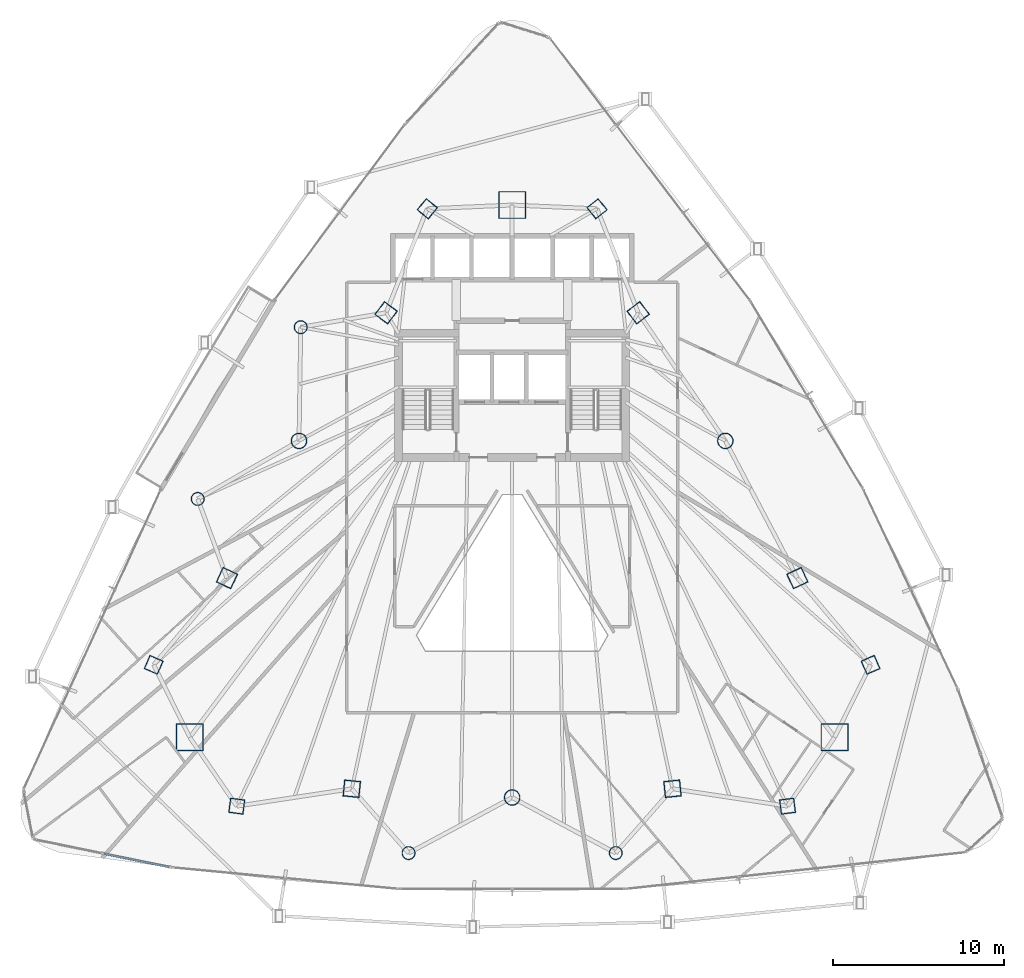
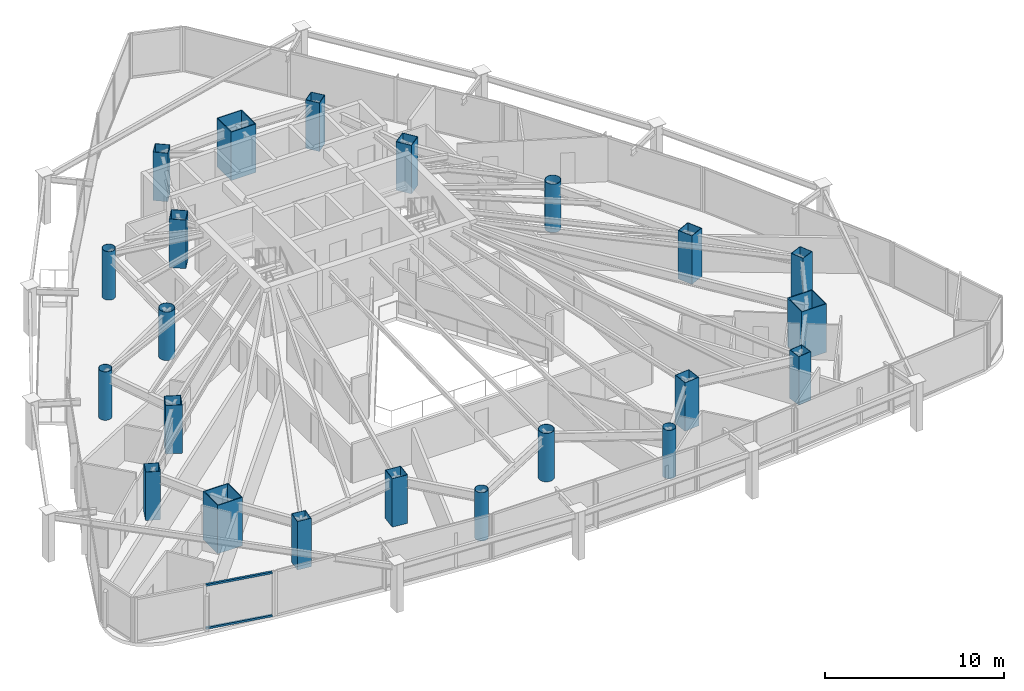
# One storey, part 1 of 38: 22 columns, 2 members, 1 element without a shape of its own.
"""IFC4 building model written with IfcOpenShell, lengths in metres."""

import ifcopenshell
import ifcopenshell.guid

model = None  # the IFC model being written
_history = None  # IfcOwnerHistory: only IFC2X3 demands one
_inside = {}  # id of a spatial element -> (the spatial element, [elements in it])
_under = {}  # id of a project, library or spatial element -> (it, [spatial elements below it])
_declared = {}  # id of a project -> (the project, [libraries it declares])
_typed = {}  # id of a type object -> (the type object, [elements of that type])
_made_of = {}  # id of a material, layer set ... -> (it, [elements and type objects made of it])


def new_model(schema):
    """Start an empty IFC model of exactly this schema.

    Asked for "IFC4X3", IfcOpenShell would pick the latest addendum, in which some entities
    have other attributes; the version numbers below select the first issue.
    IFC2X3 requires an IfcOwnerHistory on every rooted entity: one is made here for all.
    """
    global model, _history
    if schema == "IFC4X3":
        model = ifcopenshell.file(schema_version=(4, 3, 0, 0))
    else:
        model = ifcopenshell.file(schema=schema)
    _inside.clear()
    _under.clear()
    _declared.clear()
    _typed.clear()
    _made_of.clear()
    _history = None
    if model.schema == "IFC2X3":
        org = make("IfcOrganization", Name="unknown")
        user = make(
            "IfcPersonAndOrganization",
            ThePerson=make("IfcPerson", FamilyName="unknown"),
            TheOrganization=org,
        )
        app = make(
            "IfcApplication",
            ApplicationDeveloper=org,
            Version="unknown",
            ApplicationFullName="unknown",
            ApplicationIdentifier="unknown",
        )
        _history = make(
            "IfcOwnerHistory",
            OwningUser=user,
            OwningApplication=app,
            ChangeAction="ADDED",
            CreationDate=0,
        )
    return model


def make(cls, **values):
    """One entity of the class cls with the attributes given. An attribute that is None is left unset."""
    return model.create_entity(
        cls, **{name: value for name, value in values.items() if value is not None}
    )


def rooted(cls, **values):
    """An entity with a GlobalId (a new one), such as an element, a storey or a relation."""
    return make(cls, GlobalId=ifcopenshell.guid.new(), OwnerHistory=_history, **values)


def si_unit(unit_type, name, prefix=None):
    """IfcSIUnit, for example si_unit("LENGTHUNIT", "METRE", prefix="MILLI")."""
    return make("IfcSIUnit", UnitType=unit_type, Prefix=prefix, Name=name)


def assignment(units):
    """IfcUnitAssignment: the units of a project."""
    return None if units is None else make("IfcUnitAssignment", Units=units)


def point(xyz):
    """IfcCartesianPoint."""
    return None if xyz is None else make("IfcCartesianPoint", Coordinates=xyz)


def direction(xyz):
    """IfcDirection."""
    return None if xyz is None else make("IfcDirection", DirectionRatios=xyz)


def frame(location, z_axis=None, x_axis=None):
    """IfcAxis2Placement3D, a coordinate frame: its origin and axes. An axis left out is left unset."""
    return make(
        "IfcAxis2Placement3D",
        Location=point(location),
        Axis=direction(z_axis),
        RefDirection=direction(x_axis),
    )


def frame_2d(location, x_axis=None):
    """IfcAxis2Placement2D, a coordinate frame in the plane: its origin and x axis."""
    return make(
        "IfcAxis2Placement2D", Location=point(location), RefDirection=direction(x_axis)
    )


def origin():
    """The frame at (0, 0, 0) with its axes left unset."""
    return frame((0.0, 0.0, 0.0))


def origin_2d():
    """The frame at (0, 0) in the plane with its x axis left unset."""
    return frame_2d((0.0, 0.0))


def place(relative_to, where):
    """IfcLocalPlacement: puts the frame where relative to a parent placement (None: the world)."""
    return make(
        "IfcLocalPlacement", PlacementRelTo=relative_to, RelativePlacement=where
    )


def context(
    kind, dimensions, precision=None, world=None, true_north=None, identifier=None
):
    """IfcGeometricRepresentationContext, for example the 3D "Model" context."""
    return make(
        "IfcGeometricRepresentationContext",
        ContextIdentifier=identifier,
        ContextType=kind,
        CoordinateSpaceDimension=dimensions,
        Precision=precision,
        WorldCoordinateSystem=world,
        TrueNorth=true_north,
    )


def subcontext(parent, identifier, kind, view, scale=None):
    """IfcGeometricRepresentationSubContext, for example "Body" below "Model"."""
    return make(
        "IfcGeometricRepresentationSubContext",
        ContextIdentifier=identifier,
        ContextType=kind,
        ParentContext=parent,
        TargetScale=scale,
        TargetView=view,
    )


def project(units=None, contexts=None):
    """IfcProject with its units and contexts."""
    return rooted(
        "IfcProject",
        Name="project",
        RepresentationContexts=contexts,
        UnitsInContext=assignment(units),
    )


def spatial(cls, under=None, at=None, **own):
    """A site, building, storey or space (cls), placed at a placement, below another one or the project."""
    s = rooted(cls, ObjectPlacement=at, **own)
    if under is not None:
        _under.setdefault(under.id(), (under, []))[1].append(s)
    return s


def profile(cls, at=None, kind="AREA", **sizes):
    """A parametric profile (cls). Its sizes go by their IFC names, for example OverallWidth=200.0."""
    return make(cls, ProfileType=kind, Position=at, **sizes)


def hollow_rectangle(**sizes):
    """IfcRectangleHollowProfileDef."""
    return profile("IfcRectangleHollowProfileDef", **sizes)


def hollow_circle(**sizes):
    """IfcCircleHollowProfileDef."""
    return profile("IfcCircleHollowProfileDef", **sizes)


def extrude(swept, where, along, depth):
    """IfcExtrudedAreaSolid: the profile swept, set in the frame where, extruded along a direction by depth."""
    return make(
        "IfcExtrudedAreaSolid",
        SweptArea=swept,
        Position=where,
        ExtrudedDirection=direction(along),
        Depth=depth,
    )


def shape(context_of_items, identifier, shape_type, items):
    """IfcShapeRepresentation: the items that make up one representation, for example the "Body"."""
    return make(
        "IfcShapeRepresentation",
        ContextOfItems=context_of_items,
        RepresentationIdentifier=identifier,
        RepresentationType=shape_type,
        Items=items,
    )


def material(Name=None, Category=None):
    """IfcMaterial."""
    return make("IfcMaterial", Name=Name, Category=Category)


def layer(
    of_material, thickness, ventilated=None, Name=None, Category=None, Priority=None
):
    """IfcMaterialLayer: one layer of a wall or slab, of a material (None: an air gap)."""
    return make(
        "IfcMaterialLayer",
        Material=of_material,
        LayerThickness=thickness,
        IsVentilated=ventilated,
        Name=Name,
        Category=Category,
        Priority=Priority,
    )


def layer_set(layers, Name=None):
    """IfcMaterialLayerSet."""
    return make("IfcMaterialLayerSet", MaterialLayers=layers, LayerSetName=Name)


def material_profile(
    of_material, cross_section, Name=None, Category=None, Priority=None
):
    """IfcMaterialProfile: a cross section and its material."""
    return make(
        "IfcMaterialProfile",
        Name=Name,
        Material=of_material,
        Profile=cross_section,
        Priority=Priority,
        Category=Category,
    )


def profile_set(profiles, Name=None, composite=None):
    """IfcMaterialProfileSet."""
    return make(
        "IfcMaterialProfileSet",
        Name=Name,
        MaterialProfiles=profiles,
        CompositeProfile=composite,
    )


def made_of(thing, what):
    """Note that an element or type object is made of a material, layer set ...; save() writes the relation."""
    if what is not None:
        _made_of.setdefault(what.id(), (what, []))[1].append(thing)
    return thing


def type_object(cls, material=None, **own):
    """A type object (cls), such as IfcWallType, which elements share."""
    return made_of(rooted(cls, **own), material)


def element(
    cls,
    number,
    at=None,
    inside=None,
    cuts=None,
    type_object=None,
    material=None,
    context=None,
    identifier="Body",
    shape_type=None,
    held_by="IfcProductDefinitionShape",
    body=None,
    shapes=None,
    **own,
):
    """One element of the class cls, such as IfcWall. Its Tag is "e" and its number.

    at: its placement. inside: the storey or other place that contains it. cuts: it is an
    opening in that element (IfcRelVoidsElement). A single representation is given by context,
    identifier, shape_type and body (its items); several are given by shapes. held_by: the class
    of the entity that holds the representations. save() writes the other relations.
    """
    e = rooted(cls, Tag="e%d" % number, ObjectPlacement=at, **own)
    if body is not None:
        shapes = [shape(context, identifier, shape_type, body)]
    if shapes is not None:
        e.Representation = make(held_by, Representations=shapes)
    if inside is not None:
        _inside.setdefault(inside.id(), (inside, []))[1].append(e)
    if cuts is not None:
        rooted(
            "IfcRelVoidsElement", RelatingBuildingElement=cuts, RelatedOpeningElement=e
        )
    if type_object is not None:
        _typed.setdefault(type_object.id(), (type_object, []))[1].append(e)
    return made_of(e, material)


def aggregate(whole, parts):
    """IfcRelAggregates: a whole, such as a stair, and the parts it consists of."""
    return rooted("IfcRelAggregates", RelatingObject=whole, RelatedObjects=parts)


def save(model, path):
    """Write the relations noted so far, then the file.

    IfcRelAggregates (storeys below a building ...), IfcRelContainedInSpatialStructure (elements
    in a storey), IfcRelDefinesByType, IfcRelAssociatesMaterial and IfcRelDeclares: one each for
    every whole, place, type object, material and project.
    """
    for whole, parts in _under.values():
        aggregate(whole, parts)
    for where, things in _inside.values():
        rooted(
            "IfcRelContainedInSpatialStructure",
            RelatedElements=things,
            RelatingStructure=where,
        )
    for kind, things in _typed.values():
        rooted("IfcRelDefinesByType", RelatedObjects=things, RelatingType=kind)
    for what, things in _made_of.values():
        rooted("IfcRelAssociatesMaterial", RelatedObjects=things, RelatingMaterial=what)
    for by, libraries in _declared.values():
        rooted("IfcRelDeclares", RelatingContext=by, RelatedDefinitions=libraries)
    model.write(path)


model = new_model("IFC4")

# Units and contexts
model_context = context("Model", 3, precision=1e-05, world=origin(), true_north=direction((0.0, 1.0)))
body_context = subcontext(model_context, "Body", "Model", "MODEL_VIEW")
ifc_project = project(units=[si_unit("LENGTHUNIT", "METRE"), si_unit("AREAUNIT", "SQUARE_METRE"), si_unit("VOLUMEUNIT", "CUBIC_METRE"), si_unit("PLANEANGLEUNIT", "RADIAN"), si_unit("MASSUNIT", "GRAM", prefix="KILO")], contexts=[model_context])

# Site, building, storey
site_placement = place(None, origin())
site = spatial("IfcSite", under=ifc_project, at=site_placement, CompositionType="ELEMENT")
building_placement = place(site_placement, origin())
building = spatial("IfcBuilding", under=site, at=building_placement, Name="Orvanel Arch Residences", CompositionType="ELEMENT")
storey_placement = place(building_placement, frame((0.0, 0.0, 50.0)))
storey = spatial("IfcBuildingStorey", under=building, at=storey_placement, Name="L13", CompositionType="ELEMENT", Elevation=50.0)

# Columns
ifc_material_1 = material(Name="Structural steel AS/NZS 1163 C450L0 (Grade 450)", Category="steel")
ifc_material_profile_1 = material_profile(ifc_material_1, hollow_circle(Radius=0.381103515625, WallThickness=0.02197265625, at=origin_2d()), Name="CHS762x22")
ifc_profile_set_1 = profile_set([ifc_material_profile_1], Name="Structural steel AS/NZS 1163 C450L0 (Grade 450)")
column_type_1 = type_object("IfcColumnType", Name="CC-762", PredefinedType="COLUMN", material=ifc_profile_set_1)
for number, where, z_axis, x_axis, name in (
    (1, (20.669921875, 34.27099609375, 0.0), (0.0, 0.0, 1.0), (1.0, 0.0, 0.0), "L13 Low-Rise Buttress Tube Column 01"),
    (2, (14.662109375, 24.256103515625, 0.0), (0.0, 0.0, 1.0), (1.0, 0.0, 0.0), "L13 Low-Rise Buttress Tube Column 02"),
    (3, (26.9580078125, 3.60498046875, 0.0), (0.0, 0.0, 1.0), (1.0, 0.0, 0.0), "L13 Low-Rise Buttress Tube Column 03"),
    (4, (39.0419921875, 3.60498046875, 0.0), (0.0, 0.0, 1.0), (1.0, 0.0, 0.0), "L13 Low-Rise Buttress Tube Column 04"),
):
    element("IfcColumn", number, at=place(storey_placement, frame(where, z_axis=z_axis, x_axis=x_axis)), inside=storey, type_object=column_type_1, Name=name, PredefinedType="COLUMN", context=body_context, shape_type="SweptSolid", body=[
        extrude(hollow_circle(Radius=0.381103515625, WallThickness=0.02197265625, at=origin_2d()), origin(), (0.0, 0.0, 1.0), 3.300048828125),
    ])
ifc_material_profile_2 = material_profile(ifc_material_1, hollow_circle(Radius=0.45703125, WallThickness=0.02490234375, at=origin_2d()), Name="CHS914x25")
ifc_profile_set_2 = profile_set([ifc_material_profile_2], Name="Structural steel AS/NZS 1163 C450L0 (Grade 450)")
column_type_2 = type_object("IfcColumnType", Name="CC-914", PredefinedType="COLUMN", material=ifc_profile_set_2)
for number, where, z_axis, x_axis, name in (
    (5, (20.569091796875, 27.64111328125, 0.0), (0.0, 0.0, 1.0), (1.0, 0.0, 0.0), "L13 High-Rise Tube Column 02"),
    (6, (33.0, 6.843994140625, 0.0), (0.0, 0.0, 1.0), (1.0, 0.0, 0.0), "L13 High-Rise Tube Column 05"),
    (7, (45.430908203125, 27.64111328125, 0.0), (0.0, 0.0, 1.0), (1.0, 0.0, 0.0), "L13 High-Rise Tube Column 08"),
):
    element("IfcColumn", number, at=place(storey_placement, frame(where, z_axis=z_axis, x_axis=x_axis)), inside=storey, type_object=column_type_2, Name=name, PredefinedType="COLUMN", context=body_context, shape_type="SweptSolid", body=[
        extrude(hollow_circle(Radius=0.45703125, WallThickness=0.02490234375, at=origin_2d()), origin(), (0.0, 0.0, 1.0), 3.300048828125),
    ])
ifc_material_2 = material(Name="Structural steel AS/NZS 3678 Grade 450", Category="steel")
ifc_material_profile_3 = material_profile(ifc_material_2, hollow_rectangle(XDim=1.60009765625, YDim=1.60009765625, WallThickness=0.050048828125, at=origin_2d()), Name="BOX1600x1600x50")
ifc_profile_set_3 = profile_set([ifc_material_profile_3], Name="Structural steel AS/NZS 3678 Grade 450")
column_type_3 = type_object("IfcColumnType", Name="MC-1600", PredefinedType="COLUMN", material=ifc_profile_set_3)
for number, where, z_axis, x_axis, name in (
    (8, (33.0, 41.39794921875, 0.0), (0.0, 0.0, 1.0), (1.0, 0.0, 0.0), "L13 Corner Mega-Column 1"),
    (9, (14.198974609375, 10.35107421875, 0.0), (0.0, 0.0, 1.0), (1.0, 0.0, 0.0), "L13 Corner Mega-Column 2"),
    (10, (51.801025390625, 10.35107421875, 0.0), (0.0, 0.0, 1.0), (1.0, 0.0, 0.0), "L13 Corner Mega-Column 3"),
):
    element("IfcColumn", number, at=place(storey_placement, frame(where, z_axis=z_axis, x_axis=x_axis)), inside=storey, type_object=column_type_3, Name=name, PredefinedType="COLUMN", context=body_context, shape_type="SweptSolid", body=[
        extrude(hollow_rectangle(XDim=1.60009765625, YDim=1.60009765625, WallThickness=0.050048828125, at=origin_2d()), origin(), (0.0, 0.0, 1.0), 3.300048828125),
    ])
ifc_material_3 = material(Name="Structural steel AS/NZS 3678 Grade 350", Category="steel")
ifc_material_profile_4 = material_profile(ifc_material_3, hollow_rectangle(XDim=0.85009765625, YDim=0.85009765625, WallThickness=0.028076171875, at=origin_2d()), Name="BOX850x850x28")
ifc_profile_set_4 = profile_set([ifc_material_profile_4], Name="Structural steel AS/NZS 3678 Grade 350")
column_type_4 = type_object("IfcColumnType", Name="TC-850", PredefinedType="COLUMN", material=ifc_profile_set_4)
for number, where, z_axis, x_axis, name in (
    (11, (28.050048828125, 41.177978515625, 0.0), (0.0, 0.0, 1.0), (0.623879596709, 0.781520472419, 0.0), "L13 Mid-Rise Buttress Tube Column 01"),
    (12, (12.094970703125, 14.580078125, 0.0), (0.0, 0.0, 1.0), (0.397147890635, 0.917754625684, 0.0), "L13 Mid-Rise Buttress Tube Column 02"),
    (13, (16.94091796875, 6.339111328125, 0.0), (0.0, 0.0, 1.0), (-0.99189444259, 0.127064608601, 0.0), "L13 Mid-Rise Buttress Tube Column 03"),
    (14, (49.05908203125, 6.339111328125, 0.0), (0.0, 0.0, 1.0), (0.99189444259, 0.127064608601, 0.0), "L13 Mid-Rise Buttress Tube Column 04"),
    (15, (53.905029296875, 14.580078125, 0.0), (0.0, 0.0, 1.0), (-0.397147890635, 0.917754625684, 0.0), "L13 Mid-Rise Buttress Tube Column 05"),
    (16, (37.949951171875, 41.177978515625, 0.0), (0.0, 0.0, 1.0), (-0.623879596709, 0.781520472419, 0.0), "L13 Mid-Rise Buttress Tube Column 06"),
):
    element("IfcColumn", number, at=place(storey_placement, frame(where, z_axis=z_axis, x_axis=x_axis)), inside=storey, type_object=column_type_4, Name=name, PredefinedType="COLUMN", context=body_context, shape_type="SweptSolid", body=[
        extrude(hollow_rectangle(XDim=0.85009765625, YDim=0.85009765625, WallThickness=0.028076171875, at=origin_2d()), origin(), (0.0, 0.0, 1.0), 3.300048828125),
    ])
ifc_material_profile_5 = material_profile(ifc_material_3, hollow_rectangle(XDim=0.949951171875, YDim=0.949951171875, WallThickness=0.031982421875, at=origin_2d()), Name="BOX950x950x32")
ifc_profile_set_5 = profile_set([ifc_material_profile_5], Name="Structural steel AS/NZS 3678 Grade 350")
column_type_5 = type_object("IfcColumnType", Name="TC-950", PredefinedType="COLUMN", material=ifc_profile_set_5)
for number, where, z_axis, x_axis, name in (
    (17, (25.64794921875, 35.113037109375, 0.0), (0.0, 0.0, 1.0), (0.600420225326, 0.799684658487, 0.0), "L13 High-Rise Tube Column 01"),
    (18, (16.366943359375, 19.64208984375, 0.0), (0.0, 0.0, 1.0), (0.422618261741, 0.906307787037, 0.0), "L13 High-Rise Tube Column 03"),
    (19, (23.64892578125, 7.35498046875, 0.0), (0.0, 0.0, 1.0), (-0.994880708829, 0.101056297183, 0.0), "L13 High-Rise Tube Column 04"),
    (20, (42.35107421875, 7.35498046875, 0.0), (0.0, 0.0, 1.0), (0.994880708829, 0.101056297183, 0.0), "L13 High-Rise Tube Column 06"),
    (21, (49.633056640625, 19.64208984375, 0.0), (0.0, 0.0, 1.0), (-0.422618261741, 0.906307787037, 0.0), "L13 High-Rise Tube Column 07"),
    (22, (40.35205078125, 35.113037109375, 0.0), (0.0, 0.0, 1.0), (-0.600420225326, 0.799684658487, 0.0), "L13 High-Rise Tube Column 09"),
):
    element("IfcColumn", number, at=place(storey_placement, frame(where, z_axis=z_axis, x_axis=x_axis)), inside=storey, type_object=column_type_5, Name=name, PredefinedType="COLUMN", context=body_context, shape_type="SweptSolid", body=[
        extrude(hollow_rectangle(XDim=0.949951171875, YDim=0.949951171875, WallThickness=0.031982421875, at=origin_2d()), origin(), (0.0, 0.0, 1.0), 3.300048828125),
    ])

# Curtain wall, members
ifc_material_4 = material(Name="Bronze-anodised aluminium AA6063-T6", Category="aluminium")
ifc_layer = layer(ifc_material_4, 0.18994140625)
ifc_layer_set = layer_set([ifc_layer], Name="Bronze-anodised aluminium AA6063-T6")
curtain_wall_type = type_object("IfcCurtainWallType", Name="CW5-CRN-SYS", PredefinedType="NOTDEFINED", material=ifc_layer_set)
curtain_wall_placement = place(storey_placement, origin())
curtain_wall = element("IfcCurtainWall", 23, at=curtain_wall_placement, inside=storey, type_object=curtain_wall_type, Name="L13 CW5-CRN-SYS Unitised Curtain Wall", PredefinedType="NOTDEFINED")
ifc_material_profile_6 = material_profile(ifc_material_4, hollow_rectangle(XDim=0.1298828125, YDim=0.1298828125, WallThickness=0.00439453125, at=origin_2d()), Name="ALU130x130x4.5")
ifc_profile_set_6 = profile_set([ifc_material_profile_6], Name="Bronze-anodised aluminium AA6063-T6")
member_type = type_object("IfcMemberType", Name="TRN-130x130", PredefinedType="USERDEFINED", material=ifc_profile_set_6)
member_1_placement = place(storey_placement, frame((9.18994140625, 3.568115234375, 0.06494140625), z_axis=(0.979964722217, -0.199171140504, 0.0), x_axis=(0.199171140504, 0.979964722217, 0.0)))
member_1 = element("IfcMember", 24, at=member_1_placement, type_object=member_type, Name="CW-S5 transom 2.1", ObjectType="TRANSOM", PredefinedType="USERDEFINED", context=body_context, shape_type="SweptSolid", body=[
    extrude(hollow_rectangle(XDim=0.1298828125, YDim=0.1298828125, WallThickness=0.00439453125, at=origin_2d()), origin(), (0.0, 0.0, 1.0), 3.886962890625),
])
member_2_placement = place(storey_placement, frame((9.18994140625, 3.568115234375, 2.9951171875), z_axis=(0.979964722217, -0.199171140504, 0.0), x_axis=(0.199171140504, 0.979964722217, 0.0)))
member_2 = element("IfcMember", 25, at=member_2_placement, type_object=member_type, Name="CW-S5 transom 2.2", ObjectType="TRANSOM", PredefinedType="USERDEFINED", context=body_context, shape_type="SweptSolid", body=[
    extrude(hollow_rectangle(XDim=0.1298828125, YDim=0.1298828125, WallThickness=0.00439453125, at=origin_2d()), origin(), (0.0, 0.0, 1.0), 3.886962890625),
])
aggregate(curtain_wall, [member_1, member_2])

save(model, "model.ifc")
